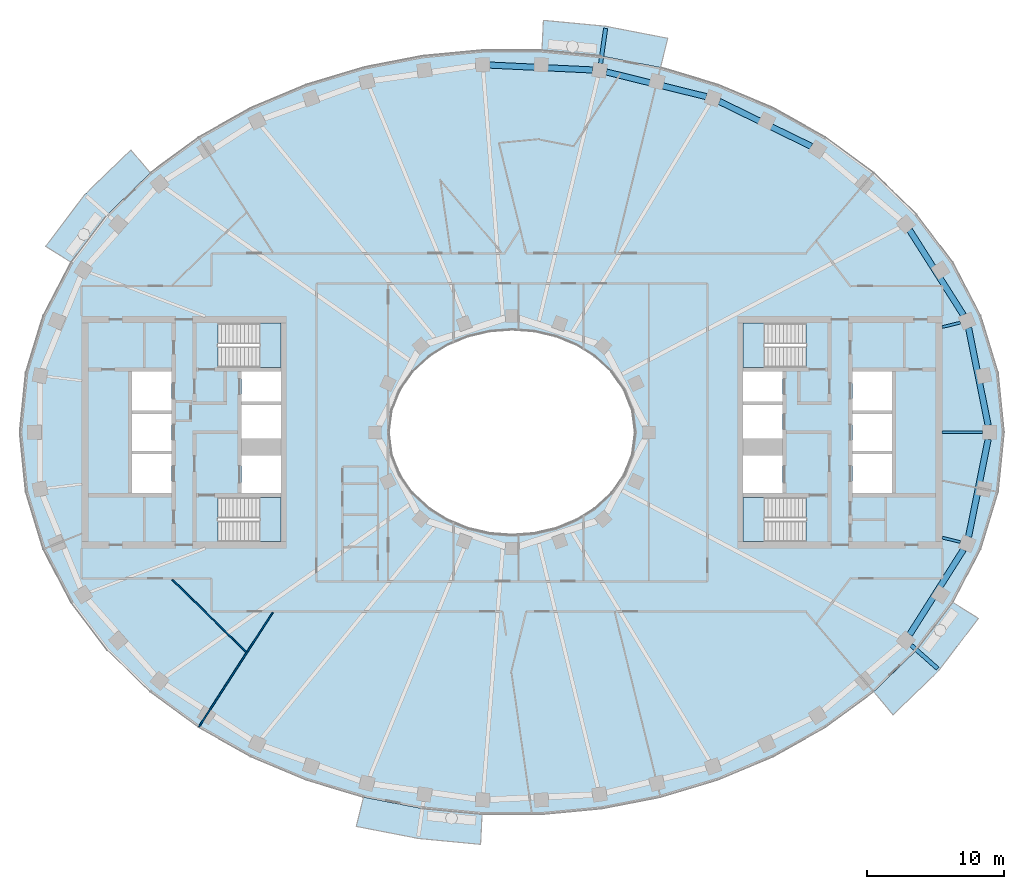
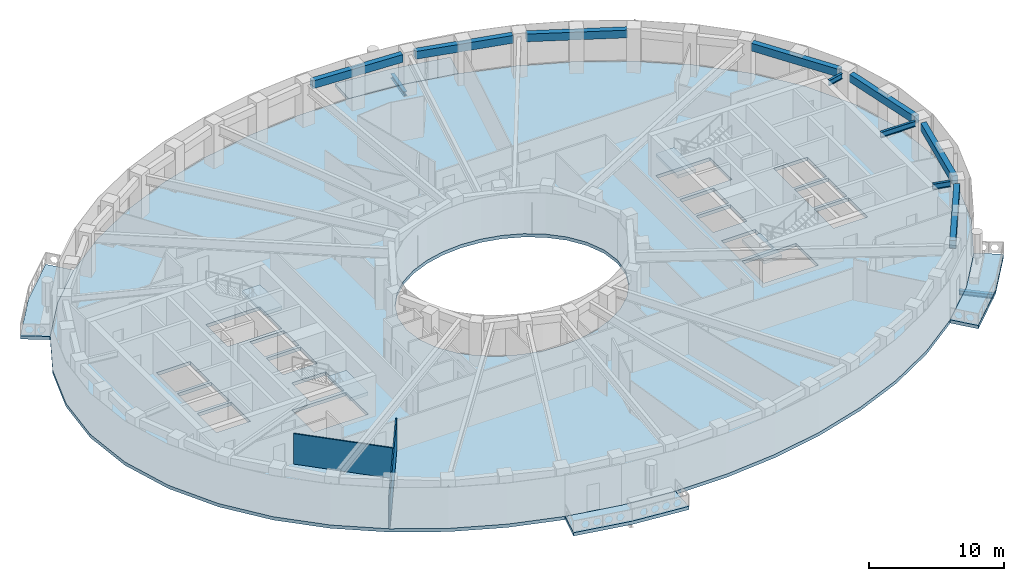
# One storey, part 2 of 16: 12 beams, 9 slabs, 2 walls, 4 elements without a shape of their own.
"""IFC4 building model written with IfcOpenShell, lengths in metres."""

from ifc_helpers import new_model, si_unit, direction, frame, frame_2d, origin, origin_2d, place, context, subcontext, project, spatial, polyline, rectangle, i_section, outline, extrude, material, layer, layer_set, material_profile, profile_set, type_object, element, aggregate, save


model = new_model("IFC4")

# Units and contexts
model_context = context("Model", 3, precision=1e-05, world=origin(), true_north=direction((0.0, 1.0)))
body_context = subcontext(model_context, "Body", "Model", "MODEL_VIEW")
ifc_project = project(units=[si_unit("LENGTHUNIT", "METRE"), si_unit("AREAUNIT", "SQUARE_METRE"), si_unit("VOLUMEUNIT", "CUBIC_METRE"), si_unit("PLANEANGLEUNIT", "RADIAN"), si_unit("MASSUNIT", "GRAM", prefix="KILO")], contexts=[model_context])

# Site, building, storey
site_placement = place(None, origin())
site = spatial("IfcSite", under=ifc_project, at=site_placement, CompositionType="ELEMENT")
building_placement = place(site_placement, origin())
building = spatial("IfcBuilding", under=site, at=building_placement, Name="Noorbagh Ring Tower", CompositionType="ELEMENT")
storey_placement = place(building_placement, frame((0.0, 0.0, 261.5)))
storey = spatial("IfcBuildingStorey", under=building, at=storey_placement, Name="L55", CompositionType="ELEMENT", Elevation=261.5)

# Beams
ifc_material_1 = material(Name="Steel S355", Category="steel")
ifc_material_profile_1 = material_profile(ifc_material_1, i_section(OverallWidth=0.300048828125, OverallDepth=0.39990234375, WebThickness=0.013427734375, FlangeThickness=0.02392578125, FilletRadius=0.027099609375, at=origin_2d()), Name="HEB400")
ifc_profile_set_1 = profile_set([ifc_material_profile_1], Name="Steel S355")
beam_type_1 = type_object("IfcBeamType", Name="STR-BALCONY-BRACKET-HEB400", PredefinedType="BEAM", material=ifc_profile_set_1)
beam_1_placement = place(storey_placement, frame((6.4814453125, 26.99072265625, -0.5), z_axis=(0.143078349205, 0.989711364989, 0.0), x_axis=(-0.989711364989, 0.143078349205, 0.0)))
element("IfcBeam", 1, at=beam_1_placement, inside=storey, type_object=beam_type_1, Name="Balcony bracket beam BN03", PredefinedType="BEAM", context=body_context, shape_type="SweptSolid", body=[
    extrude(i_section(OverallWidth=0.300048828125, OverallDepth=0.39990234375, WebThickness=0.013427734375, FlangeThickness=0.02392578125, FilletRadius=0.027099609375, at=origin_2d()), origin(), (0.0, 0.0, 1.0), 2.598876953125),
])
beam_2_placement = place(storey_placement, frame((29.197021484375, -15.565185546875, -0.5), z_axis=(0.749087807423, -0.662470721444, 0.0), x_axis=(0.662470721444, 0.749087807423, 0.0)))
element("IfcBeam", 2, at=beam_2_placement, inside=storey, type_object=beam_type_1, Name="Balcony bracket beam BS06", PredefinedType="BEAM", context=body_context, shape_type="SweptSolid", body=[
    extrude(i_section(OverallWidth=0.300048828125, OverallDepth=0.39990234375, WebThickness=0.013427734375, FlangeThickness=0.02392578125, FilletRadius=0.027099609375, at=origin_2d()), origin(), (0.0, 0.0, 1.0), 2.6044921875),
])
ifc_material_2 = material(Name="Steel S355", Category="steel")
ifc_material_profile_2 = material_profile(ifc_material_2, i_section(OverallWidth=0.199951171875, OverallDepth=0.5, WebThickness=0.01025390625, FlangeThickness=0.01611328125, FilletRadius=0.02099609375, at=origin_2d()), Name="IPE500")
ifc_profile_set_2 = profile_set([ifc_material_profile_2], Name="Steel S355")
beam_type_2 = type_object("IfcBeamType", Name="STR-RAD-IPE500", PredefinedType="BEAM", material=ifc_profile_set_2)
beam_3_placement = place(storey_placement, frame((34.439697265625, 0.0, 3.449951171875), z_axis=(-1.0, 0.0, 0.0), x_axis=(0.0, -1.0, 0.0)))
element("IfcBeam", 3, at=beam_3_placement, inside=storey, type_object=beam_type_2, Name="L55/bm/RD01", PredefinedType="BEAM", context=body_context, shape_type="SweptSolid", body=[
    extrude(i_section(OverallWidth=0.199951171875, OverallDepth=0.5, WebThickness=0.01025390625, FlangeThickness=0.01611328125, FilletRadius=0.02099609375, at=origin_2d()), origin(), (0.0, 0.0, 1.0), 2.959716796875),
])
for number, where, z_axis, x_axis, name in (
    (4, (32.80908203125, 8.02783203125, 3.449951171875), (-0.971368805904, -0.237576604311, 0.0), (0.237576604311, -0.971368805904, 0.0), "L55/bm/RD03"),
    (5, (32.80908203125, -8.02783203125, 3.449951171875), (-0.971368805904, 0.237576604311, 0.0), (-0.237576604311, -0.971368805904, 0.0), "L55/bm/RD45"),
):
    element("IfcBeam", number, at=place(storey_placement, frame(where, z_axis=z_axis, x_axis=x_axis)), inside=storey, type_object=beam_type_2, Name=name, PredefinedType="BEAM", context=body_context, shape_type="SweptSolid", body=[
        extrude(i_section(OverallWidth=0.199951171875, OverallDepth=0.5, WebThickness=0.01025390625, FlangeThickness=0.01611328125, FilletRadius=0.02099609375, at=origin_2d()), origin(), (0.0, 0.0, 1.0), 1.36767578125),
    ])
ifc_material_3 = material(Name="Concrete C40/50", Category="concrete")
ifc_material_profile_3 = material_profile(ifc_material_3, rectangle(XDim=0.449951171875, YDim=0.699951171875, at=origin_2d()), Name="RC450x700")
ifc_profile_set_3 = profile_set([ifc_material_profile_3], Name="Concrete C40/50")
beam_type_3 = type_object("IfcBeamType", Name="STR-SB-RC450x700-C40-50", PredefinedType="BEAM", material=ifc_profile_set_3)
beam_4_placement = place(storey_placement, frame((34.843017578125, 0.50537109375, 3.35009765625), z_axis=(-0.197224898537, 0.980358270938, 0.0), x_axis=(-0.980358270938, -0.197224898537, 0.0)))
element("IfcBeam", 6, at=beam_4_placement, inside=storey, type_object=beam_type_3, Name="L55/bm/SP01", PredefinedType="BEAM", context=body_context, shape_type="SweptSolid", body=[
    extrude(rectangle(XDim=0.449951171875, YDim=0.699951171875, at=origin_2d()), origin(), (0.0, 0.0, 1.0), 7.282470703125),
])
beam_5_placement = place(storey_placement, frame((33.030517578125, 8.5830078125, 3.35009765625), z_axis=(-0.535199696751, 0.844725567624, 0.0), x_axis=(-0.844725567624, -0.535199696751, 0.0)))
element("IfcBeam", 7, at=beam_5_placement, inside=storey, type_object=beam_type_3, Name="L55/bm/SP03", PredefinedType="BEAM", context=body_context, shape_type="SweptSolid", body=[
    extrude(rectangle(XDim=0.449951171875, YDim=0.699951171875, at=origin_2d()), origin(), (0.0, 0.0, 1.0), 7.357421875),
])
beam_6_placement = place(storey_placement, frame((21.905029296875, 20.92333984375, 3.35009765625), z_axis=(-0.898394634575, 0.439189117087, 0.0), x_axis=(-0.439189117087, -0.898394634575, 0.0)))
element("IfcBeam", 8, at=beam_6_placement, inside=storey, type_object=beam_type_3, Name="L55/bm/SP07", PredefinedType="BEAM", context=body_context, shape_type="SweptSolid", body=[
    extrude(rectangle(XDim=0.449951171875, YDim=0.699951171875, at=origin_2d()), origin(), (0.0, 0.0, 1.0), 7.501220703125),
])
beam_7_placement = place(storey_placement, frame((14.216552734375, 24.562744140625, 3.35009765625), z_axis=(-0.970832363292, 0.239759300935, 0.0), x_axis=(-0.239759300935, -0.970832363292, 0.0)))
element("IfcBeam", 9, at=beam_7_placement, inside=storey, type_object=beam_type_3, Name="L55/bm/SP09", PredefinedType="BEAM", context=body_context, shape_type="SweptSolid", body=[
    extrude(rectangle(XDim=0.449951171875, YDim=0.699951171875, at=origin_2d()), origin(), (0.0, 0.0, 1.0), 7.5341796875),
])
beam_8_placement = place(storey_placement, frame((5.90234375, 26.514892578125, 3.35009765625), z_axis=(-0.998868796295, 0.047551317418, 0.0), x_axis=(-0.047551317418, -0.998868796295, 0.0)))
element("IfcBeam", 10, at=beam_8_placement, inside=storey, type_object=beam_type_3, Name="L55/bm/SP11", PredefinedType="BEAM", context=body_context, shape_type="SweptSolid", body=[
    extrude(rectangle(XDim=0.449951171875, YDim=0.699951171875, at=origin_2d()), origin(), (0.0, 0.0, 1.0), 7.54736328125),
])
beam_9_placement = place(storey_placement, frame((29.0927734375, -14.798095703125, 3.35009765625), z_axis=(0.535199696751, 0.844725567624, 0.0), x_axis=(-0.844725567624, 0.535199696751, 0.0)))
element("IfcBeam", 11, at=beam_9_placement, inside=storey, type_object=beam_type_3, Name="L55/bm/SP43", PredefinedType="BEAM", context=body_context, shape_type="SweptSolid", body=[
    extrude(rectangle(XDim=0.449951171875, YDim=0.699951171875, at=origin_2d()), origin(), (0.0, 0.0, 1.0), 7.357421875),
])
beam_10_placement = place(storey_placement, frame((33.40673828125, -7.644775390625, 3.35009765625), z_axis=(0.197224898537, 0.980358270938, 0.0), x_axis=(-0.980358270938, 0.197224898537, 0.0)))
element("IfcBeam", 12, at=beam_10_placement, inside=storey, type_object=beam_type_3, Name="L55/bm/SP45", PredefinedType="BEAM", context=body_context, shape_type="SweptSolid", body=[
    extrude(rectangle(XDim=0.449951171875, YDim=0.699951171875, at=origin_2d()), origin(), (0.0, 0.0, 1.0), 7.282470703125),
])

# Stair, slab
ifc_material_4 = material(Name="Concrete C40/50", Category="concrete")
stair_type = type_object("IfcStairType", Name="CORE-STAIR", PredefinedType="HALF_TURN_STAIR", material=ifc_material_4)
stair_1_placement = place(storey_placement, origin())
stair_1 = element("IfcStair", 13, at=stair_1_placement, inside=storey, type_object=stair_type, Name="L55 Exit stair ST1", PredefinedType="HALF_TURN_STAIR")
ifc_material_5 = material(Name="Concrete C40/50", Category="concrete")
ifc_layer_1 = layer(ifc_material_5, 0.300048828125)
ifc_layer_set_1 = layer_set([ifc_layer_1], Name="Concrete C40/50")
slab_type_1 = type_object("IfcSlabType", Name="CORE-STAIR-LANDING", PredefinedType="LANDING", material=ifc_layer_set_1)
slab_1_placement = place(storey_placement, frame((0.0, 0.0, 1.699951171875)))
slab_1 = element("IfcSlab", 14, at=slab_1_placement, type_object=slab_type_1, Name="ST1 landing 1", PredefinedType="LANDING", context=body_context, shape_type="SweptSolid", body=[
    extrude(outline(polyline([(-18.449951171875, 4.75), (-16.89990234375, 4.75), (-16.89990234375, 8.0), (-18.449951171875, 8.0), (-18.449951171875, 4.75)])), origin(), (0.0, 0.0, 1.0), 0.300048828125),
])
aggregate(stair_1, [slab_1])

stair_2_placement = place(storey_placement, origin())
stair_2 = element("IfcStair", 15, at=stair_2_placement, inside=storey, type_object=stair_type, Name="L55 Exit stair ST2", PredefinedType="HALF_TURN_STAIR")
slab_2_placement = place(storey_placement, frame((0.0, 0.0, 1.699951171875)))
slab_2 = element("IfcSlab", 16, at=slab_2_placement, type_object=slab_type_1, Name="ST2 landing 1", PredefinedType="LANDING", context=body_context, shape_type="SweptSolid", body=[
    extrude(outline(polyline([(-18.449951171875, -8.0), (-16.89990234375, -8.0), (-16.89990234375, -4.75), (-18.449951171875, -4.75), (-18.449951171875, -8.0)])), origin(), (0.0, 0.0, 1.0), 0.300048828125),
])
aggregate(stair_2, [slab_2])

stair_3_placement = place(storey_placement, origin())
stair_3 = element("IfcStair", 17, at=stair_3_placement, inside=storey, type_object=stair_type, Name="L55 Exit stair ST3", PredefinedType="HALF_TURN_STAIR")
slab_3_placement = place(storey_placement, frame((0.0, 0.0, 1.699951171875)))
slab_3 = element("IfcSlab", 18, at=slab_3_placement, type_object=slab_type_1, Name="ST3 landing 1", PredefinedType="LANDING", context=body_context, shape_type="SweptSolid", body=[
    extrude(outline(polyline([(18.449951171875, 8.0), (16.89990234375, 8.0), (16.89990234375, 4.75), (18.449951171875, 4.75), (18.449951171875, 8.0)])), origin(), (0.0, 0.0, 1.0), 0.300048828125),
])
aggregate(stair_3, [slab_3])

stair_4_placement = place(storey_placement, origin())
stair_4 = element("IfcStair", 19, at=stair_4_placement, inside=storey, type_object=stair_type, Name="L55 Exit stair ST4", PredefinedType="HALF_TURN_STAIR")
slab_4_placement = place(storey_placement, frame((0.0, 0.0, 1.699951171875)))
slab_4 = element("IfcSlab", 20, at=slab_4_placement, type_object=slab_type_1, Name="ST4 landing 1", PredefinedType="LANDING", context=body_context, shape_type="SweptSolid", body=[
    extrude(outline(polyline([(18.449951171875, -4.75), (16.89990234375, -4.75), (16.89990234375, -8.0), (18.449951171875, -8.0), (18.449951171875, -4.75)])), origin(), (0.0, 0.0, 1.0), 0.300048828125),
])
aggregate(stair_4, [slab_4])

# Slabs
ifc_material_6 = material(Name="Concrete C40/50", Category="concrete")
ifc_layer_2 = layer(ifc_material_6, 0.300048828125)
ifc_layer_set_2 = layer_set([ifc_layer_2], Name="Concrete C40/50")
slab_type_2 = type_object("IfcSlabType", Name="ENV-BALCONY DECK 300", PredefinedType="FLOOR", material=ifc_layer_set_2)
slab_5_placement = place(storey_placement, frame((0.0, 0.0, -0.300048828125)))
element("IfcSlab", 21, at=slab_5_placement, inside=storey, type_object=slab_type_2, Name="Tree balcony deck BN03", PredefinedType="FLOOR", context=body_context, shape_type="SweptSolid", body=[
    extrude(outline(polyline([(11.3935546875, 28.832763671875), (6.874755859375, 29.711181640625), (2.2978515625, 30.14794921875), (2.193115234375, 27.947998046875), (6.5595703125, 27.53125), (10.865234375, 26.6943359375), (11.3935546875, 28.832763671875)])), origin(), (0.0, 0.0, 1.0), 0.300048828125),
])
slab_6_placement = place(storey_placement, frame((0.0, 0.0, -0.300048828125)))
element("IfcSlab", 22, at=slab_6_placement, inside=storey, type_object=slab_type_2, Name="Tree balcony deck BN06", PredefinedType="FLOOR", context=body_context, shape_type="SweptSolid", body=[
    extrude(outline(polyline([(-27.888671875, 20.665771484375), (-31.26025390625, 17.389892578125), (-34.120361328125, 13.615966796875), (-32.255126953125, 12.434814453125), (-29.607666015625, 15.92822265625), (-26.463134765625, 18.983154296875), (-27.888671875, 20.665771484375)])), origin(), (0.0, 0.0, 1.0), 0.300048828125),
])
slab_7_placement = place(storey_placement, frame((0.0, 0.0, -0.300048828125)))
element("IfcSlab", 23, at=slab_7_placement, inside=storey, type_object=slab_type_2, Name="Tree balcony deck BS03", PredefinedType="FLOOR", context=body_context, shape_type="SweptSolid", body=[
    extrude(outline(polyline([(-11.3935546875, -28.832763671875), (-6.874755859375, -29.711181640625), (-2.2978515625, -30.14794921875), (-2.193115234375, -27.947998046875), (-6.5595703125, -27.53125), (-10.865234375, -26.6943359375), (-11.3935546875, -28.832763671875)])), origin(), (0.0, 0.0, 1.0), 0.300048828125),
])
slab_8_placement = place(storey_placement, frame((0.0, 0.0, -0.300048828125)))
element("IfcSlab", 24, at=slab_8_placement, inside=storey, type_object=slab_type_2, Name="Tree balcony deck BS06", PredefinedType="FLOOR", context=body_context, shape_type="SweptSolid", body=[
    extrude(outline(polyline([(27.888671875, -20.665771484375), (31.26025390625, -17.389892578125), (34.120361328125, -13.615966796875), (32.255126953125, -12.434814453125), (29.607666015625, -15.92822265625), (26.463134765625, -18.983154296875), (27.888671875, -20.665771484375)])), origin(), (0.0, 0.0, 1.0), 0.300048828125),
])
ifc_material_7 = material(Name="Concrete C40/50", Category="concrete")
ifc_layer_3 = layer(ifc_material_7, 0.300048828125)
ifc_layer_set_3 = layer_set([ifc_layer_3], Name="Concrete C40/50")
slab_type_3 = type_object("IfcSlabType", Name="STR-FLOOR-DECK-300", PredefinedType="FLOOR", material=ifc_layer_set_3)
slab_9_placement = place(storey_placement, frame((0.0, 0.0, -0.300048828125)))
element("IfcSlab", 25, at=slab_9_placement, inside=storey, type_object=slab_type_3, Name="L55/slab/1", PredefinedType="FLOOR", context=body_context, shape_type="SweptSolid", body=[
    extrude(outline(polyline([(36.0, 0.0), (35.56103515625, 4.358642578125), (34.281005859375, 8.548828125), (32.255126953125, 12.434814453125), (29.607666015625, 15.92822265625), (26.463134765625, 18.983154296875), (22.9326171875, 21.583740234375), (19.108154296875, 23.730224609375), (15.0654296875, 25.430419921875), (10.865234375, 26.6943359375), (6.5595703125, 27.53125), (2.193115234375, 27.947998046875), (-2.193115234375, 27.947998046875), (-6.5595703125, 27.53125), (-10.865234375, 26.6943359375), (-15.0654296875, 25.430419921875), (-19.108154296875, 23.730224609375), (-22.9326171875, 21.583740234375), (-26.463134765625, 18.983154296875), (-29.607666015625, 15.92822265625), (-32.255126953125, 12.434814453125), (-34.281005859375, 8.548828125), (-35.56103515625, 4.358642578125), (-36.0, 0.0), (-35.56103515625, -4.358642578125), (-34.281005859375, -8.548828125), (-32.255126953125, -12.434814453125), (-29.607666015625, -15.92822265625), (-26.463134765625, -18.983154296875), (-22.9326171875, -21.583740234375), (-19.108154296875, -23.730224609375), (-15.0654296875, -25.430419921875), (-10.865234375, -26.6943359375), (-6.5595703125, -27.53125), (-2.193115234375, -27.947998046875), (2.193115234375, -27.947998046875), (6.5595703125, -27.53125), (10.865234375, -26.6943359375), (15.0654296875, -25.430419921875), (19.108154296875, -23.730224609375), (22.9326171875, -21.583740234375), (26.463134765625, -18.983154296875), (29.607666015625, -15.92822265625), (32.255126953125, -12.434814453125), (34.281005859375, -8.548828125), (35.56103515625, -4.358642578125), (36.0, 0.0)]), holes=[polyline([(24.89990234375, 4.449951171875), (27.800048828125, 4.449951171875), (27.800048828125, 1.60009765625), (24.89990234375, 1.60009765625), (24.89990234375, 4.449951171875)]), polyline([(24.89990234375, 1.35009765625), (27.800048828125, 1.35009765625), (27.800048828125, -1.35009765625), (24.89990234375, -1.35009765625), (24.89990234375, 1.35009765625)]), polyline([(24.89990234375, -1.60009765625), (27.800048828125, -1.60009765625), (27.800048828125, -4.449951171875), (24.89990234375, -4.449951171875), (24.89990234375, -1.60009765625)]), polyline([(21.529541015625, -8.0), (16.89990234375, -8.0), (16.89990234375, -4.75), (21.529541015625, -4.75), (21.529541015625, -8.0)]), polyline([(16.89990234375, 4.75), (16.89990234375, 8.0), (21.529541015625, 8.0), (21.529541015625, 4.75), (16.89990234375, 4.75)]), polyline([(19.800048828125, 4.449951171875), (19.800048828125, 2.25), (16.89990234375, 2.25), (16.89990234375, 4.449951171875), (19.800048828125, 4.449951171875)]), polyline([(16.89990234375, 2.0), (19.800048828125, 2.0), (19.800048828125, -0.449951171875), (16.89990234375, -0.449951171875), (16.89990234375, 2.0)]), polyline([(16.89990234375, -1.699951171875), (19.800048828125, -1.699951171875), (19.800048828125, -4.449951171875), (16.89990234375, -4.449951171875), (16.89990234375, -1.699951171875)]), polyline([(4.697509765625, -6.3974609375), (3.196533203125, -7.010986328125), (1.6171875, -7.3779296875), (0.0, -7.5), (-1.6171875, -7.3779296875), (-3.196533203125, -7.010986328125), (-4.697509765625, -6.3974609375), (-6.071044921875, -5.53662109375), (-7.2587890625, -4.43408203125), (-8.1904296875, -3.10888671875), (-8.79150390625, -1.605224609375), (-9.0, 0.0), (-8.79150390625, 1.605224609375), (-8.1904296875, 3.10888671875), (-7.2587890625, 4.43408203125), (-6.071044921875, 5.53662109375), (-4.697509765625, 6.3974609375), (-3.196533203125, 7.010986328125), (-1.6171875, 7.3779296875), (0.0, 7.5), (1.6171875, 7.3779296875), (3.196533203125, 7.010986328125), (4.697509765625, 6.3974609375), (6.071044921875, 5.53662109375), (7.2587890625, 4.43408203125), (8.1904296875, 3.10888671875), (8.79150390625, 1.605224609375), (9.0, 0.0), (8.79150390625, -1.605224609375), (8.1904296875, -3.10888671875), (7.2587890625, -4.43408203125), (6.071044921875, -5.53662109375), (4.697509765625, -6.3974609375)]), polyline([(-16.89990234375, 2.25), (-19.800048828125, 2.25), (-19.800048828125, 4.449951171875), (-16.89990234375, 4.449951171875), (-16.89990234375, 2.25)]), polyline([(-16.89990234375, -0.449951171875), (-19.800048828125, -0.449951171875), (-19.800048828125, 2.0), (-16.89990234375, 2.0), (-16.89990234375, -0.449951171875)]), polyline([(-16.89990234375, -4.449951171875), (-19.800048828125, -4.449951171875), (-19.800048828125, -1.699951171875), (-16.89990234375, -1.699951171875), (-16.89990234375, -4.449951171875)]), polyline([(-21.529541015625, 8.0), (-16.89990234375, 8.0), (-16.89990234375, 4.75), (-21.529541015625, 4.75), (-21.529541015625, 8.0)]), polyline([(-21.529541015625, -4.75), (-16.89990234375, -4.75), (-16.89990234375, -8.0), (-21.529541015625, -8.0), (-21.529541015625, -4.75)]), polyline([(-24.89990234375, -4.449951171875), (-27.800048828125, -4.449951171875), (-27.800048828125, -1.60009765625), (-24.89990234375, -1.60009765625), (-24.89990234375, -4.449951171875)]), polyline([(-24.89990234375, 1.60009765625), (-27.800048828125, 1.60009765625), (-27.800048828125, 4.449951171875), (-24.89990234375, 4.449951171875), (-24.89990234375, 1.60009765625)]), polyline([(-24.89990234375, -1.35009765625), (-27.800048828125, -1.35009765625), (-27.800048828125, 1.35009765625), (-24.89990234375, 1.35009765625), (-24.89990234375, -1.35009765625)])]), origin(), (0.0, 0.0, 1.0), 0.300048828125),
])

# Walls
ifc_material_8 = material(Name="Gypsum board on steel studs", Category="steel")
ifc_layer_4 = layer(ifc_material_8, 0.10009765625)
ifc_layer_set_4 = layer_set([ifc_layer_4], Name="Gypsum board on steel studs")
wall_type = type_object("IfcWallType", Name="PARTITION 100 GYPSUM", PredefinedType="PARTITIONING", material=ifc_layer_set_4)
wall_1_placement = place(storey_placement, frame((-24.865966796875, -10.778076171875, 0.0), z_axis=(0.0, 0.0, 1.0), x_axis=(0.715632814242, -0.698476681916, 0.0)))
element("IfcWall", 26, at=wall_1_placement, inside=storey, type_object=wall_type, Name="L55/wall/P06", PredefinedType="PARTITIONING", context=body_context, shape_type="SweptSolid", body=[
    extrude(rectangle(XDim=7.5849609375, YDim=0.10009765625, at=frame_2d((3.79248046875, 0.0))), origin(), (0.0, 0.0, 1.0), 2.75),
])
wall_2_placement = place(storey_placement, frame((-22.905029296875, -21.5419921875, 0.0), z_axis=(0.0, 0.0, 1.0), x_axis=(0.542277075573, 0.840199722273, 0.0)))
element("IfcWall", 27, at=wall_2_placement, inside=storey, type_object=wall_type, Name="L55/wall/P08", PredefinedType="PARTITIONING", context=body_context, shape_type="SweptSolid", body=[
    extrude(rectangle(XDim=9.958251953125, YDim=0.10009765625, at=frame_2d((4.97900390625, 0.0))), origin(), (0.0, 0.0, 1.0), 3.0),
])

save(model, "model.ifc")
